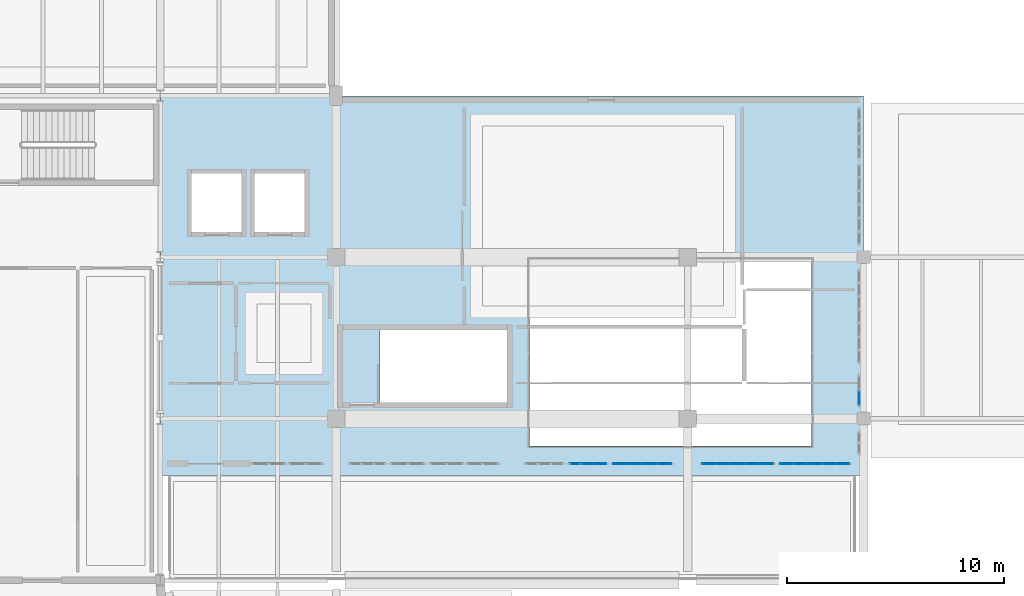
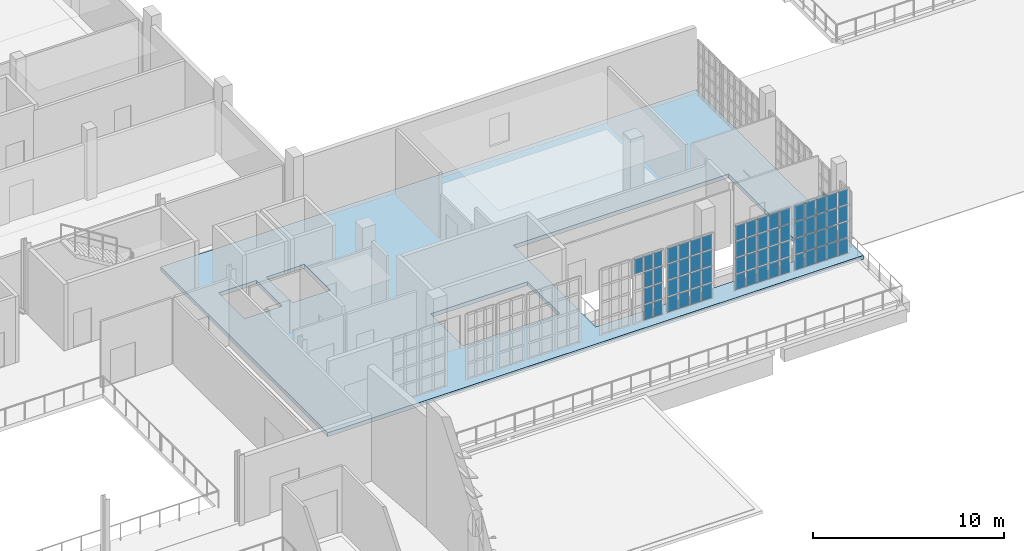
# One storey, part 36 of 56: 67 plates, 1 slab, 5 elements without a shape of their own.
"""IFC4 building model written with IfcOpenShell, lengths in metres."""

from ifc_helpers import new_model, si_unit, direction, frame, origin, origin_2d, place, context, subcontext, project, spatial, polyline, rectangle, outline, extrude, material, layer, layer_set, type_object, element, aggregate, save


model = new_model("IFC4")

# Units and contexts
model_context = context("Model", 3, precision=1e-05, world=origin(), true_north=direction((0.0, 1.0)))
body_context = subcontext(model_context, "Body", "Model", "MODEL_VIEW")
ifc_project = project(units=[si_unit("LENGTHUNIT", "METRE"), si_unit("AREAUNIT", "SQUARE_METRE"), si_unit("VOLUMEUNIT", "CUBIC_METRE"), si_unit("PLANEANGLEUNIT", "RADIAN"), si_unit("MASSUNIT", "GRAM", prefix="KILO")], contexts=[model_context])

# Site, building, storey
site_placement = place(None, origin())
site = spatial("IfcSite", under=ifc_project, at=site_placement, CompositionType="ELEMENT")
building_placement = place(site_placement, origin())
building = spatial("IfcBuilding", under=site, at=building_placement, Name="Kaelora Sail Theatre", CompositionType="ELEMENT")
storey_placement = place(building_placement, frame((0.0, 0.0, 14.699951171875)))
storey = spatial("IfcBuildingStorey", under=building, at=storey_placement, Name="L03", CompositionType="ELEMENT", Elevation=14.699951171875)

# Curtain wall, plates
ifc_material_1 = material(Name="Anodised aluminium and solar-control low-E IGU", Category="aluminium")
curtain_wall_type = type_object("IfcCurtainWallType", Name="ARC-CW-CW-BRG", PredefinedType="NOTDEFINED", material=ifc_material_1)
curtain_wall_1_placement = place(storey_placement, origin())
curtain_wall_1 = element("IfcCurtainWall", 1, at=curtain_wall_1_placement, inside=storey, type_object=curtain_wall_type, Name="Glazed Foyer/Conservatory Curtain Wall FC1-S-L03-08", PredefinedType="NOTDEFINED")
ifc_material_2 = material(Name="Solar-control laminated low-E glass", Category="glass")
ifc_layer_1 = layer(ifc_material_2, 0.031982421875)
ifc_layer_set_1 = layer_set([ifc_layer_1], Name="Solar-control laminated low-E glass")
plate_type = type_object("IfcPlateType", Name="ARC-CW-PNL", PredefinedType="CURTAIN_PANEL", material=ifc_layer_set_1)
plate_1_placement = place(storey_placement, frame((77.31494140625, 66.389892578125, 3.20361328125), z_axis=(0.0, 0.0, 1.0), x_axis=(1.0, 0.0, 0.0)))
plate_1 = element("IfcPlate", 2, at=plate_1_placement, type_object=plate_type, Name="CW-BRG panel 1.4", PredefinedType="CURTAIN_PANEL", context=body_context, shape_type="SweptSolid", body=[
    extrude(rectangle(XDim=0.510009765625, YDim=0.031982421875, at=origin_2d()), origin(), (0.0, 0.0, 1.0), 0.951416015625),
])
plate_2_placement = place(storey_placement, frame((77.89990234375, 66.389892578125, 0.070068359375), z_axis=(0.0, 0.0, 1.0), x_axis=(1.0, 0.0, 0.0)))
plate_2 = element("IfcPlate", 3, at=plate_2_placement, type_object=plate_type, Name="CW-BRG panel 2.1", PredefinedType="CURTAIN_PANEL", context=body_context, shape_type="SweptSolid", body=[
    extrude(rectangle(XDim=0.5400390625, YDim=0.031982421875, at=origin_2d()), origin(), (0.0, 0.0, 1.0), 0.951171875),
])
plate_3_placement = place(storey_placement, frame((77.89990234375, 66.389892578125, 1.09130859375), z_axis=(0.0, 0.0, 1.0), x_axis=(1.0, 0.0, 0.0)))
plate_3 = element("IfcPlate", 4, at=plate_3_placement, type_object=plate_type, Name="CW-BRG panel 2.2", PredefinedType="CURTAIN_PANEL", context=body_context, shape_type="SweptSolid", body=[
    extrude(rectangle(XDim=0.5400390625, YDim=0.031982421875, at=origin_2d()), origin(), (0.0, 0.0, 1.0), 0.986328125),
])
plate_4_placement = place(storey_placement, frame((77.89990234375, 66.389892578125, 2.1474609375), z_axis=(0.0, 0.0, 1.0), x_axis=(1.0, 0.0, 0.0)))
plate_4 = element("IfcPlate", 5, at=plate_4_placement, type_object=plate_type, Name="CW-BRG panel 2.3", PredefinedType="CURTAIN_PANEL", context=body_context, shape_type="SweptSolid", body=[
    extrude(rectangle(XDim=0.5400390625, YDim=0.031982421875, at=origin_2d()), origin(), (0.0, 0.0, 1.0), 0.986083984375),
])
plate_5_placement = place(storey_placement, frame((77.89990234375, 66.389892578125, 3.20361328125), z_axis=(0.0, 0.0, 1.0), x_axis=(1.0, 0.0, 0.0)))
plate_5 = element("IfcPlate", 6, at=plate_5_placement, type_object=plate_type, Name="CW-BRG panel 2.4", PredefinedType="CURTAIN_PANEL", context=body_context, shape_type="SweptSolid", body=[
    extrude(rectangle(XDim=0.5400390625, YDim=0.031982421875, at=origin_2d()), origin(), (0.0, 0.0, 1.0), 0.951416015625),
])
plate_6_placement = place(storey_placement, frame((78.485107421875, 66.389892578125, 0.070068359375), z_axis=(0.0, 0.0, 1.0), x_axis=(1.0, 0.0, 0.0)))
plate_6 = element("IfcPlate", 7, at=plate_6_placement, type_object=plate_type, Name="CW-BRG panel 3.1", PredefinedType="CURTAIN_PANEL", context=body_context, shape_type="SweptSolid", body=[
    extrude(rectangle(XDim=0.510009765625, YDim=0.031982421875, at=origin_2d()), origin(), (0.0, 0.0, 1.0), 0.951171875),
])
plate_7_placement = place(storey_placement, frame((78.485107421875, 66.389892578125, 1.09130859375), z_axis=(0.0, 0.0, 1.0), x_axis=(1.0, 0.0, 0.0)))
plate_7 = element("IfcPlate", 8, at=plate_7_placement, type_object=plate_type, Name="CW-BRG panel 3.2", PredefinedType="CURTAIN_PANEL", context=body_context, shape_type="SweptSolid", body=[
    extrude(rectangle(XDim=0.510009765625, YDim=0.031982421875, at=origin_2d()), origin(), (0.0, 0.0, 1.0), 0.986328125),
])
plate_8_placement = place(storey_placement, frame((78.485107421875, 66.389892578125, 2.1474609375), z_axis=(0.0, 0.0, 1.0), x_axis=(1.0, 0.0, 0.0)))
plate_8 = element("IfcPlate", 9, at=plate_8_placement, type_object=plate_type, Name="CW-BRG panel 3.3", PredefinedType="CURTAIN_PANEL", context=body_context, shape_type="SweptSolid", body=[
    extrude(rectangle(XDim=0.510009765625, YDim=0.031982421875, at=origin_2d()), origin(), (0.0, 0.0, 1.0), 0.986083984375),
])
plate_9_placement = place(storey_placement, frame((78.485107421875, 66.389892578125, 3.20361328125), z_axis=(0.0, 0.0, 1.0), x_axis=(1.0, 0.0, 0.0)))
plate_9 = element("IfcPlate", 10, at=plate_9_placement, type_object=plate_type, Name="CW-BRG panel 3.4", PredefinedType="CURTAIN_PANEL", context=body_context, shape_type="SweptSolid", body=[
    extrude(rectangle(XDim=0.510009765625, YDim=0.031982421875, at=origin_2d()), origin(), (0.0, 0.0, 1.0), 0.951416015625),
])
aggregate(curtain_wall_1, [plate_1, plate_2, plate_3, plate_4, plate_5, plate_6, plate_7, plate_8, plate_9])

curtain_wall_2_placement = place(storey_placement, origin())
curtain_wall_2 = element("IfcCurtainWall", 11, at=curtain_wall_2_placement, inside=storey, type_object=curtain_wall_type, Name="Glazed Foyer/Conservatory Curtain Wall FC1-S-L03-09", PredefinedType="NOTDEFINED")
plate_10_placement = place(storey_placement, frame((79.364990234375, 66.389892578125, 0.070068359375), z_axis=(0.0, 0.0, 1.0), x_axis=(1.0, 0.0, 0.0)))
plate_10 = element("IfcPlate", 12, at=plate_10_placement, type_object=plate_type, Name="CW-BRG panel 1.1", PredefinedType="CURTAIN_PANEL", context=body_context, shape_type="SweptSolid", body=[
    extrude(rectangle(XDim=0.610107421875, YDim=0.031982421875, at=origin_2d()), origin(), (0.0, 0.0, 1.0), 0.951171875),
])
plate_11_placement = place(storey_placement, frame((79.364990234375, 66.389892578125, 1.09130859375), z_axis=(0.0, 0.0, 1.0), x_axis=(1.0, 0.0, 0.0)))
plate_11 = element("IfcPlate", 13, at=plate_11_placement, type_object=plate_type, Name="CW-BRG panel 1.2", PredefinedType="CURTAIN_PANEL", context=body_context, shape_type="SweptSolid", body=[
    extrude(rectangle(XDim=0.610107421875, YDim=0.031982421875, at=origin_2d()), origin(), (0.0, 0.0, 1.0), 0.986328125),
])
plate_12_placement = place(storey_placement, frame((79.364990234375, 66.389892578125, 2.1474609375), z_axis=(0.0, 0.0, 1.0), x_axis=(1.0, 0.0, 0.0)))
plate_12 = element("IfcPlate", 14, at=plate_12_placement, type_object=plate_type, Name="CW-BRG panel 1.3", PredefinedType="CURTAIN_PANEL", context=body_context, shape_type="SweptSolid", body=[
    extrude(rectangle(XDim=0.610107421875, YDim=0.031982421875, at=origin_2d()), origin(), (0.0, 0.0, 1.0), 0.986083984375),
])
plate_13_placement = place(storey_placement, frame((79.364990234375, 66.389892578125, 3.20361328125), z_axis=(0.0, 0.0, 1.0), x_axis=(1.0, 0.0, 0.0)))
plate_13 = element("IfcPlate", 15, at=plate_13_placement, type_object=plate_type, Name="CW-BRG panel 1.4", PredefinedType="CURTAIN_PANEL", context=body_context, shape_type="SweptSolid", body=[
    extrude(rectangle(XDim=0.610107421875, YDim=0.031982421875, at=origin_2d()), origin(), (0.0, 0.0, 1.0), 0.951416015625),
])
plate_14_placement = place(storey_placement, frame((80.050048828125, 66.389892578125, 0.070068359375), z_axis=(0.0, 0.0, 1.0), x_axis=(1.0, 0.0, 0.0)))
plate_14 = element("IfcPlate", 16, at=plate_14_placement, type_object=plate_type, Name="CW-BRG panel 2.1", PredefinedType="CURTAIN_PANEL", context=body_context, shape_type="SweptSolid", body=[
    extrude(rectangle(XDim=0.639892578125, YDim=0.031982421875, at=origin_2d()), origin(), (0.0, 0.0, 1.0), 0.951171875),
])
plate_15_placement = place(storey_placement, frame((80.050048828125, 66.389892578125, 1.09130859375), z_axis=(0.0, 0.0, 1.0), x_axis=(1.0, 0.0, 0.0)))
plate_15 = element("IfcPlate", 17, at=plate_15_placement, type_object=plate_type, Name="CW-BRG panel 2.2", PredefinedType="CURTAIN_PANEL", context=body_context, shape_type="SweptSolid", body=[
    extrude(rectangle(XDim=0.639892578125, YDim=0.031982421875, at=origin_2d()), origin(), (0.0, 0.0, 1.0), 0.986328125),
])
plate_16_placement = place(storey_placement, frame((80.050048828125, 66.389892578125, 2.1474609375), z_axis=(0.0, 0.0, 1.0), x_axis=(1.0, 0.0, 0.0)))
plate_16 = element("IfcPlate", 18, at=plate_16_placement, type_object=plate_type, Name="CW-BRG panel 2.3", PredefinedType="CURTAIN_PANEL", context=body_context, shape_type="SweptSolid", body=[
    extrude(rectangle(XDim=0.639892578125, YDim=0.031982421875, at=origin_2d()), origin(), (0.0, 0.0, 1.0), 0.986083984375),
])
plate_17_placement = place(storey_placement, frame((80.050048828125, 66.389892578125, 3.20361328125), z_axis=(0.0, 0.0, 1.0), x_axis=(1.0, 0.0, 0.0)))
plate_17 = element("IfcPlate", 19, at=plate_17_placement, type_object=plate_type, Name="CW-BRG panel 2.4", PredefinedType="CURTAIN_PANEL", context=body_context, shape_type="SweptSolid", body=[
    extrude(rectangle(XDim=0.639892578125, YDim=0.031982421875, at=origin_2d()), origin(), (0.0, 0.0, 1.0), 0.951416015625),
])
plate_18_placement = place(storey_placement, frame((80.75, 66.389892578125, 0.070068359375), z_axis=(0.0, 0.0, 1.0), x_axis=(1.0, 0.0, 0.0)))
plate_18 = element("IfcPlate", 20, at=plate_18_placement, type_object=plate_type, Name="CW-BRG panel 3.1", PredefinedType="CURTAIN_PANEL", context=body_context, shape_type="SweptSolid", body=[
    extrude(rectangle(XDim=0.639892578125, YDim=0.031982421875, at=origin_2d()), origin(), (0.0, 0.0, 1.0), 0.951171875),
])
plate_19_placement = place(storey_placement, frame((80.75, 66.389892578125, 1.09130859375), z_axis=(0.0, 0.0, 1.0), x_axis=(1.0, 0.0, 0.0)))
plate_19 = element("IfcPlate", 21, at=plate_19_placement, type_object=plate_type, Name="CW-BRG panel 3.2", PredefinedType="CURTAIN_PANEL", context=body_context, shape_type="SweptSolid", body=[
    extrude(rectangle(XDim=0.639892578125, YDim=0.031982421875, at=origin_2d()), origin(), (0.0, 0.0, 1.0), 0.986328125),
])
plate_20_placement = place(storey_placement, frame((80.75, 66.389892578125, 2.1474609375), z_axis=(0.0, 0.0, 1.0), x_axis=(1.0, 0.0, 0.0)))
plate_20 = element("IfcPlate", 22, at=plate_20_placement, type_object=plate_type, Name="CW-BRG panel 3.3", PredefinedType="CURTAIN_PANEL", context=body_context, shape_type="SweptSolid", body=[
    extrude(rectangle(XDim=0.639892578125, YDim=0.031982421875, at=origin_2d()), origin(), (0.0, 0.0, 1.0), 0.986083984375),
])
plate_21_placement = place(storey_placement, frame((80.75, 66.389892578125, 3.20361328125), z_axis=(0.0, 0.0, 1.0), x_axis=(1.0, 0.0, 0.0)))
plate_21 = element("IfcPlate", 23, at=plate_21_placement, type_object=plate_type, Name="CW-BRG panel 3.4", PredefinedType="CURTAIN_PANEL", context=body_context, shape_type="SweptSolid", body=[
    extrude(rectangle(XDim=0.639892578125, YDim=0.031982421875, at=origin_2d()), origin(), (0.0, 0.0, 1.0), 0.951416015625),
])
plate_22_placement = place(storey_placement, frame((81.43505859375, 66.389892578125, 0.070068359375), z_axis=(0.0, 0.0, 1.0), x_axis=(1.0, 0.0, 0.0)))
plate_22 = element("IfcPlate", 24, at=plate_22_placement, type_object=plate_type, Name="CW-BRG panel 4.1", PredefinedType="CURTAIN_PANEL", context=body_context, shape_type="SweptSolid", body=[
    extrude(rectangle(XDim=0.610107421875, YDim=0.031982421875, at=origin_2d()), origin(), (0.0, 0.0, 1.0), 0.951171875),
])
plate_23_placement = place(storey_placement, frame((81.43505859375, 66.389892578125, 1.09130859375), z_axis=(0.0, 0.0, 1.0), x_axis=(1.0, 0.0, 0.0)))
plate_23 = element("IfcPlate", 25, at=plate_23_placement, type_object=plate_type, Name="CW-BRG panel 4.2", PredefinedType="CURTAIN_PANEL", context=body_context, shape_type="SweptSolid", body=[
    extrude(rectangle(XDim=0.610107421875, YDim=0.031982421875, at=origin_2d()), origin(), (0.0, 0.0, 1.0), 0.986328125),
])
plate_24_placement = place(storey_placement, frame((81.43505859375, 66.389892578125, 2.1474609375), z_axis=(0.0, 0.0, 1.0), x_axis=(1.0, 0.0, 0.0)))
plate_24 = element("IfcPlate", 26, at=plate_24_placement, type_object=plate_type, Name="CW-BRG panel 4.3", PredefinedType="CURTAIN_PANEL", context=body_context, shape_type="SweptSolid", body=[
    extrude(rectangle(XDim=0.610107421875, YDim=0.031982421875, at=origin_2d()), origin(), (0.0, 0.0, 1.0), 0.986083984375),
])
plate_25_placement = place(storey_placement, frame((81.43505859375, 66.389892578125, 3.20361328125), z_axis=(0.0, 0.0, 1.0), x_axis=(1.0, 0.0, 0.0)))
plate_25 = element("IfcPlate", 27, at=plate_25_placement, type_object=plate_type, Name="CW-BRG panel 4.4", PredefinedType="CURTAIN_PANEL", context=body_context, shape_type="SweptSolid", body=[
    extrude(rectangle(XDim=0.610107421875, YDim=0.031982421875, at=origin_2d()), origin(), (0.0, 0.0, 1.0), 0.951416015625),
])
aggregate(curtain_wall_2, [plate_10, plate_11, plate_12, plate_13, plate_14, plate_15, plate_16, plate_17, plate_18, plate_19, plate_20, plate_21, plate_22, plate_23, plate_24, plate_25])

curtain_wall_3_placement = place(storey_placement, origin())
curtain_wall_3 = element("IfcCurtainWall", 28, at=curtain_wall_3_placement, inside=storey, type_object=curtain_wall_type, Name="Glazed Foyer/Conservatory Curtain Wall FC1-S-L03-10", PredefinedType="NOTDEFINED")
plate_26_placement = place(storey_placement, frame((83.455078125, 66.389892578125, 0.070068359375), z_axis=(0.0, 0.0, 1.0), x_axis=(1.0, 0.0, 0.0)))
plate_26 = element("IfcPlate", 29, at=plate_26_placement, type_object=plate_type, Name="CW-BRG panel 1.1", PredefinedType="CURTAIN_PANEL", context=body_context, shape_type="SweptSolid", body=[
    extrude(rectangle(XDim=0.590087890625, YDim=0.031982421875, at=origin_2d()), origin(), (0.0, 0.0, 1.0), 0.951171875),
])
plate_27_placement = place(storey_placement, frame((83.455078125, 66.389892578125, 1.09130859375), z_axis=(0.0, 0.0, 1.0), x_axis=(1.0, 0.0, 0.0)))
plate_27 = element("IfcPlate", 30, at=plate_27_placement, type_object=plate_type, Name="CW-BRG panel 1.2", PredefinedType="CURTAIN_PANEL", context=body_context, shape_type="SweptSolid", body=[
    extrude(rectangle(XDim=0.590087890625, YDim=0.031982421875, at=origin_2d()), origin(), (0.0, 0.0, 1.0), 0.986328125),
])
plate_28_placement = place(storey_placement, frame((83.455078125, 66.389892578125, 2.1474609375), z_axis=(0.0, 0.0, 1.0), x_axis=(1.0, 0.0, 0.0)))
plate_28 = element("IfcPlate", 31, at=plate_28_placement, type_object=plate_type, Name="CW-BRG panel 1.3", PredefinedType="CURTAIN_PANEL", context=body_context, shape_type="SweptSolid", body=[
    extrude(rectangle(XDim=0.590087890625, YDim=0.031982421875, at=origin_2d()), origin(), (0.0, 0.0, 1.0), 0.986083984375),
])
plate_29_placement = place(storey_placement, frame((83.455078125, 66.389892578125, 3.20361328125), z_axis=(0.0, 0.0, 1.0), x_axis=(1.0, 0.0, 0.0)))
plate_29 = element("IfcPlate", 32, at=plate_29_placement, type_object=plate_type, Name="CW-BRG panel 1.4", PredefinedType="CURTAIN_PANEL", context=body_context, shape_type="SweptSolid", body=[
    extrude(rectangle(XDim=0.590087890625, YDim=0.031982421875, at=origin_2d()), origin(), (0.0, 0.0, 1.0), 0.951416015625),
])
plate_30_placement = place(storey_placement, frame((84.1201171875, 66.389892578125, 0.070068359375), z_axis=(0.0, 0.0, 1.0), x_axis=(1.0, 0.0, 0.0)))
plate_30 = element("IfcPlate", 33, at=plate_30_placement, type_object=plate_type, Name="CW-BRG panel 2.1", PredefinedType="CURTAIN_PANEL", context=body_context, shape_type="SweptSolid", body=[
    extrude(rectangle(XDim=0.6201171875, YDim=0.031982421875, at=origin_2d()), origin(), (0.0, 0.0, 1.0), 0.951171875),
])
plate_31_placement = place(storey_placement, frame((84.1201171875, 66.389892578125, 1.09130859375), z_axis=(0.0, 0.0, 1.0), x_axis=(1.0, 0.0, 0.0)))
plate_31 = element("IfcPlate", 34, at=plate_31_placement, type_object=plate_type, Name="CW-BRG panel 2.2", PredefinedType="CURTAIN_PANEL", context=body_context, shape_type="SweptSolid", body=[
    extrude(rectangle(XDim=0.6201171875, YDim=0.031982421875, at=origin_2d()), origin(), (0.0, 0.0, 1.0), 0.986328125),
])
plate_32_placement = place(storey_placement, frame((84.1201171875, 66.389892578125, 2.1474609375), z_axis=(0.0, 0.0, 1.0), x_axis=(1.0, 0.0, 0.0)))
plate_32 = element("IfcPlate", 35, at=plate_32_placement, type_object=plate_type, Name="CW-BRG panel 2.3", PredefinedType="CURTAIN_PANEL", context=body_context, shape_type="SweptSolid", body=[
    extrude(rectangle(XDim=0.6201171875, YDim=0.031982421875, at=origin_2d()), origin(), (0.0, 0.0, 1.0), 0.986083984375),
])
plate_33_placement = place(storey_placement, frame((84.1201171875, 66.389892578125, 3.20361328125), z_axis=(0.0, 0.0, 1.0), x_axis=(1.0, 0.0, 0.0)))
plate_33 = element("IfcPlate", 36, at=plate_33_placement, type_object=plate_type, Name="CW-BRG panel 2.4", PredefinedType="CURTAIN_PANEL", context=body_context, shape_type="SweptSolid", body=[
    extrude(rectangle(XDim=0.6201171875, YDim=0.031982421875, at=origin_2d()), origin(), (0.0, 0.0, 1.0), 0.951416015625),
])
plate_34_placement = place(storey_placement, frame((84.800048828125, 66.389892578125, 0.070068359375), z_axis=(0.0, 0.0, 1.0), x_axis=(1.0, 0.0, 0.0)))
plate_34 = element("IfcPlate", 37, at=plate_34_placement, type_object=plate_type, Name="CW-BRG panel 3.1", PredefinedType="CURTAIN_PANEL", context=body_context, shape_type="SweptSolid", body=[
    extrude(rectangle(XDim=0.6201171875, YDim=0.031982421875, at=origin_2d()), origin(), (0.0, 0.0, 1.0), 0.951171875),
])
plate_35_placement = place(storey_placement, frame((84.800048828125, 66.389892578125, 1.09130859375), z_axis=(0.0, 0.0, 1.0), x_axis=(1.0, 0.0, 0.0)))
plate_35 = element("IfcPlate", 38, at=plate_35_placement, type_object=plate_type, Name="CW-BRG panel 3.2", PredefinedType="CURTAIN_PANEL", context=body_context, shape_type="SweptSolid", body=[
    extrude(rectangle(XDim=0.6201171875, YDim=0.031982421875, at=origin_2d()), origin(), (0.0, 0.0, 1.0), 0.986328125),
])
plate_36_placement = place(storey_placement, frame((84.800048828125, 66.389892578125, 2.1474609375), z_axis=(0.0, 0.0, 1.0), x_axis=(1.0, 0.0, 0.0)))
plate_36 = element("IfcPlate", 39, at=plate_36_placement, type_object=plate_type, Name="CW-BRG panel 3.3", PredefinedType="CURTAIN_PANEL", context=body_context, shape_type="SweptSolid", body=[
    extrude(rectangle(XDim=0.6201171875, YDim=0.031982421875, at=origin_2d()), origin(), (0.0, 0.0, 1.0), 0.986083984375),
])
plate_37_placement = place(storey_placement, frame((84.800048828125, 66.389892578125, 3.20361328125), z_axis=(0.0, 0.0, 1.0), x_axis=(1.0, 0.0, 0.0)))
plate_37 = element("IfcPlate", 40, at=plate_37_placement, type_object=plate_type, Name="CW-BRG panel 3.4", PredefinedType="CURTAIN_PANEL", context=body_context, shape_type="SweptSolid", body=[
    extrude(rectangle(XDim=0.6201171875, YDim=0.031982421875, at=origin_2d()), origin(), (0.0, 0.0, 1.0), 0.951416015625),
])
plate_38_placement = place(storey_placement, frame((85.47998046875, 66.389892578125, 0.070068359375), z_axis=(0.0, 0.0, 1.0), x_axis=(1.0, 0.0, 0.0)))
plate_38 = element("IfcPlate", 41, at=plate_38_placement, type_object=plate_type, Name="CW-BRG panel 4.1", PredefinedType="CURTAIN_PANEL", context=body_context, shape_type="SweptSolid", body=[
    extrude(rectangle(XDim=0.6201171875, YDim=0.031982421875, at=origin_2d()), origin(), (0.0, 0.0, 1.0), 0.951171875),
])
plate_39_placement = place(storey_placement, frame((85.47998046875, 66.389892578125, 1.09130859375), z_axis=(0.0, 0.0, 1.0), x_axis=(1.0, 0.0, 0.0)))
plate_39 = element("IfcPlate", 42, at=plate_39_placement, type_object=plate_type, Name="CW-BRG panel 4.2", PredefinedType="CURTAIN_PANEL", context=body_context, shape_type="SweptSolid", body=[
    extrude(rectangle(XDim=0.6201171875, YDim=0.031982421875, at=origin_2d()), origin(), (0.0, 0.0, 1.0), 0.986328125),
])
plate_40_placement = place(storey_placement, frame((85.47998046875, 66.389892578125, 2.1474609375), z_axis=(0.0, 0.0, 1.0), x_axis=(1.0, 0.0, 0.0)))
plate_40 = element("IfcPlate", 43, at=plate_40_placement, type_object=plate_type, Name="CW-BRG panel 4.3", PredefinedType="CURTAIN_PANEL", context=body_context, shape_type="SweptSolid", body=[
    extrude(rectangle(XDim=0.6201171875, YDim=0.031982421875, at=origin_2d()), origin(), (0.0, 0.0, 1.0), 0.986083984375),
])
plate_41_placement = place(storey_placement, frame((85.47998046875, 66.389892578125, 3.20361328125), z_axis=(0.0, 0.0, 1.0), x_axis=(1.0, 0.0, 0.0)))
plate_41 = element("IfcPlate", 44, at=plate_41_placement, type_object=plate_type, Name="CW-BRG panel 4.4", PredefinedType="CURTAIN_PANEL", context=body_context, shape_type="SweptSolid", body=[
    extrude(rectangle(XDim=0.6201171875, YDim=0.031982421875, at=origin_2d()), origin(), (0.0, 0.0, 1.0), 0.951416015625),
])
plate_42_placement = place(storey_placement, frame((86.14501953125, 66.389892578125, 0.070068359375), z_axis=(0.0, 0.0, 1.0), x_axis=(1.0, 0.0, 0.0)))
plate_42 = element("IfcPlate", 45, at=plate_42_placement, type_object=plate_type, Name="CW-BRG panel 5.1", PredefinedType="CURTAIN_PANEL", context=body_context, shape_type="SweptSolid", body=[
    extrude(rectangle(XDim=0.590087890625, YDim=0.031982421875, at=origin_2d()), origin(), (0.0, 0.0, 1.0), 0.951171875),
])
plate_43_placement = place(storey_placement, frame((86.14501953125, 66.389892578125, 1.09130859375), z_axis=(0.0, 0.0, 1.0), x_axis=(1.0, 0.0, 0.0)))
plate_43 = element("IfcPlate", 46, at=plate_43_placement, type_object=plate_type, Name="CW-BRG panel 5.2", PredefinedType="CURTAIN_PANEL", context=body_context, shape_type="SweptSolid", body=[
    extrude(rectangle(XDim=0.590087890625, YDim=0.031982421875, at=origin_2d()), origin(), (0.0, 0.0, 1.0), 0.986328125),
])
plate_44_placement = place(storey_placement, frame((86.14501953125, 66.389892578125, 2.1474609375), z_axis=(0.0, 0.0, 1.0), x_axis=(1.0, 0.0, 0.0)))
plate_44 = element("IfcPlate", 47, at=plate_44_placement, type_object=plate_type, Name="CW-BRG panel 5.3", PredefinedType="CURTAIN_PANEL", context=body_context, shape_type="SweptSolid", body=[
    extrude(rectangle(XDim=0.590087890625, YDim=0.031982421875, at=origin_2d()), origin(), (0.0, 0.0, 1.0), 0.986083984375),
])
plate_45_placement = place(storey_placement, frame((86.14501953125, 66.389892578125, 3.20361328125), z_axis=(0.0, 0.0, 1.0), x_axis=(1.0, 0.0, 0.0)))
plate_45 = element("IfcPlate", 48, at=plate_45_placement, type_object=plate_type, Name="CW-BRG panel 5.4", PredefinedType="CURTAIN_PANEL", context=body_context, shape_type="SweptSolid", body=[
    extrude(rectangle(XDim=0.590087890625, YDim=0.031982421875, at=origin_2d()), origin(), (0.0, 0.0, 1.0), 0.951416015625),
])
aggregate(curtain_wall_3, [plate_26, plate_27, plate_28, plate_29, plate_30, plate_31, plate_32, plate_33, plate_34, plate_35, plate_36, plate_37, plate_38, plate_39, plate_40, plate_41, plate_42, plate_43, plate_44, plate_45])

curtain_wall_4_placement = place(storey_placement, origin())
curtain_wall_4 = element("IfcCurtainWall", 49, at=curtain_wall_4_placement, inside=storey, type_object=curtain_wall_type, Name="Glazed Foyer/Conservatory Curtain Wall FC1-S-L03-11", PredefinedType="NOTDEFINED")
plate_46_placement = place(storey_placement, frame((87.044921875, 66.389892578125, 0.070068359375), z_axis=(0.0, 0.0, 1.0), x_axis=(1.0, 0.0, 0.0)))
plate_46 = element("IfcPlate", 50, at=plate_46_placement, type_object=plate_type, Name="CW-BRG panel 1.1", PredefinedType="CURTAIN_PANEL", context=body_context, shape_type="SweptSolid", body=[
    extrude(rectangle(XDim=0.570068359375, YDim=0.031982421875, at=origin_2d()), origin(), (0.0, 0.0, 1.0), 0.951171875),
])
plate_47_placement = place(storey_placement, frame((87.044921875, 66.389892578125, 1.09130859375), z_axis=(0.0, 0.0, 1.0), x_axis=(1.0, 0.0, 0.0)))
plate_47 = element("IfcPlate", 51, at=plate_47_placement, type_object=plate_type, Name="CW-BRG panel 1.2", PredefinedType="CURTAIN_PANEL", context=body_context, shape_type="SweptSolid", body=[
    extrude(rectangle(XDim=0.570068359375, YDim=0.031982421875, at=origin_2d()), origin(), (0.0, 0.0, 1.0), 0.986328125),
])
plate_48_placement = place(storey_placement, frame((87.044921875, 66.389892578125, 2.1474609375), z_axis=(0.0, 0.0, 1.0), x_axis=(1.0, 0.0, 0.0)))
plate_48 = element("IfcPlate", 52, at=plate_48_placement, type_object=plate_type, Name="CW-BRG panel 1.3", PredefinedType="CURTAIN_PANEL", context=body_context, shape_type="SweptSolid", body=[
    extrude(rectangle(XDim=0.570068359375, YDim=0.031982421875, at=origin_2d()), origin(), (0.0, 0.0, 1.0), 0.986083984375),
])
plate_49_placement = place(storey_placement, frame((87.044921875, 66.389892578125, 3.20361328125), z_axis=(0.0, 0.0, 1.0), x_axis=(1.0, 0.0, 0.0)))
plate_49 = element("IfcPlate", 53, at=plate_49_placement, type_object=plate_type, Name="CW-BRG panel 1.4", PredefinedType="CURTAIN_PANEL", context=body_context, shape_type="SweptSolid", body=[
    extrude(rectangle(XDim=0.570068359375, YDim=0.031982421875, at=origin_2d()), origin(), (0.0, 0.0, 1.0), 0.951416015625),
])
plate_50_placement = place(storey_placement, frame((87.68994140625, 66.389892578125, 0.070068359375), z_axis=(0.0, 0.0, 1.0), x_axis=(1.0, 0.0, 0.0)))
plate_50 = element("IfcPlate", 54, at=plate_50_placement, type_object=plate_type, Name="CW-BRG panel 2.1", PredefinedType="CURTAIN_PANEL", context=body_context, shape_type="SweptSolid", body=[
    extrude(rectangle(XDim=0.60009765625, YDim=0.031982421875, at=origin_2d()), origin(), (0.0, 0.0, 1.0), 0.951171875),
])
plate_51_placement = place(storey_placement, frame((87.68994140625, 66.389892578125, 1.09130859375), z_axis=(0.0, 0.0, 1.0), x_axis=(1.0, 0.0, 0.0)))
plate_51 = element("IfcPlate", 55, at=plate_51_placement, type_object=plate_type, Name="CW-BRG panel 2.2", PredefinedType="CURTAIN_PANEL", context=body_context, shape_type="SweptSolid", body=[
    extrude(rectangle(XDim=0.60009765625, YDim=0.031982421875, at=origin_2d()), origin(), (0.0, 0.0, 1.0), 0.986328125),
])
plate_52_placement = place(storey_placement, frame((87.68994140625, 66.389892578125, 2.1474609375), z_axis=(0.0, 0.0, 1.0), x_axis=(1.0, 0.0, 0.0)))
plate_52 = element("IfcPlate", 56, at=plate_52_placement, type_object=plate_type, Name="CW-BRG panel 2.3", PredefinedType="CURTAIN_PANEL", context=body_context, shape_type="SweptSolid", body=[
    extrude(rectangle(XDim=0.60009765625, YDim=0.031982421875, at=origin_2d()), origin(), (0.0, 0.0, 1.0), 0.986083984375),
])
plate_53_placement = place(storey_placement, frame((87.68994140625, 66.389892578125, 3.20361328125), z_axis=(0.0, 0.0, 1.0), x_axis=(1.0, 0.0, 0.0)))
plate_53 = element("IfcPlate", 57, at=plate_53_placement, type_object=plate_type, Name="CW-BRG panel 2.4", PredefinedType="CURTAIN_PANEL", context=body_context, shape_type="SweptSolid", body=[
    extrude(rectangle(XDim=0.60009765625, YDim=0.031982421875, at=origin_2d()), origin(), (0.0, 0.0, 1.0), 0.951416015625),
])
plate_54_placement = place(storey_placement, frame((88.35009765625, 66.389892578125, 0.070068359375), z_axis=(0.0, 0.0, 1.0), x_axis=(1.0, 0.0, 0.0)))
plate_54 = element("IfcPlate", 58, at=plate_54_placement, type_object=plate_type, Name="CW-BRG panel 3.1", PredefinedType="CURTAIN_PANEL", context=body_context, shape_type="SweptSolid", body=[
    extrude(rectangle(XDim=0.60009765625, YDim=0.031982421875, at=origin_2d()), origin(), (0.0, 0.0, 1.0), 0.951171875),
])
plate_55_placement = place(storey_placement, frame((88.35009765625, 66.389892578125, 1.09130859375), z_axis=(0.0, 0.0, 1.0), x_axis=(1.0, 0.0, 0.0)))
plate_55 = element("IfcPlate", 59, at=plate_55_placement, type_object=plate_type, Name="CW-BRG panel 3.2", PredefinedType="CURTAIN_PANEL", context=body_context, shape_type="SweptSolid", body=[
    extrude(rectangle(XDim=0.60009765625, YDim=0.031982421875, at=origin_2d()), origin(), (0.0, 0.0, 1.0), 0.986328125),
])
plate_56_placement = place(storey_placement, frame((88.35009765625, 66.389892578125, 2.1474609375), z_axis=(0.0, 0.0, 1.0), x_axis=(1.0, 0.0, 0.0)))
plate_56 = element("IfcPlate", 60, at=plate_56_placement, type_object=plate_type, Name="CW-BRG panel 3.3", PredefinedType="CURTAIN_PANEL", context=body_context, shape_type="SweptSolid", body=[
    extrude(rectangle(XDim=0.60009765625, YDim=0.031982421875, at=origin_2d()), origin(), (0.0, 0.0, 1.0), 0.986083984375),
])
plate_57_placement = place(storey_placement, frame((88.35009765625, 66.389892578125, 3.20361328125), z_axis=(0.0, 0.0, 1.0), x_axis=(1.0, 0.0, 0.0)))
plate_57 = element("IfcPlate", 61, at=plate_57_placement, type_object=plate_type, Name="CW-BRG panel 3.4", PredefinedType="CURTAIN_PANEL", context=body_context, shape_type="SweptSolid", body=[
    extrude(rectangle(XDim=0.60009765625, YDim=0.031982421875, at=origin_2d()), origin(), (0.0, 0.0, 1.0), 0.951416015625),
])
plate_58_placement = place(storey_placement, frame((89.010009765625, 66.389892578125, 0.070068359375), z_axis=(0.0, 0.0, 1.0), x_axis=(1.0, 0.0, 0.0)))
plate_58 = element("IfcPlate", 62, at=plate_58_placement, type_object=plate_type, Name="CW-BRG panel 4.1", PredefinedType="CURTAIN_PANEL", context=body_context, shape_type="SweptSolid", body=[
    extrude(rectangle(XDim=0.60009765625, YDim=0.031982421875, at=origin_2d()), origin(), (0.0, 0.0, 1.0), 0.951171875),
])
plate_59_placement = place(storey_placement, frame((89.010009765625, 66.389892578125, 1.09130859375), z_axis=(0.0, 0.0, 1.0), x_axis=(1.0, 0.0, 0.0)))
plate_59 = element("IfcPlate", 63, at=plate_59_placement, type_object=plate_type, Name="CW-BRG panel 4.2", PredefinedType="CURTAIN_PANEL", context=body_context, shape_type="SweptSolid", body=[
    extrude(rectangle(XDim=0.60009765625, YDim=0.031982421875, at=origin_2d()), origin(), (0.0, 0.0, 1.0), 0.986328125),
])
plate_60_placement = place(storey_placement, frame((89.010009765625, 66.389892578125, 2.1474609375), z_axis=(0.0, 0.0, 1.0), x_axis=(1.0, 0.0, 0.0)))
plate_60 = element("IfcPlate", 64, at=plate_60_placement, type_object=plate_type, Name="CW-BRG panel 4.3", PredefinedType="CURTAIN_PANEL", context=body_context, shape_type="SweptSolid", body=[
    extrude(rectangle(XDim=0.60009765625, YDim=0.031982421875, at=origin_2d()), origin(), (0.0, 0.0, 1.0), 0.986083984375),
])
plate_61_placement = place(storey_placement, frame((89.010009765625, 66.389892578125, 3.20361328125), z_axis=(0.0, 0.0, 1.0), x_axis=(1.0, 0.0, 0.0)))
plate_61 = element("IfcPlate", 65, at=plate_61_placement, type_object=plate_type, Name="CW-BRG panel 4.4", PredefinedType="CURTAIN_PANEL", context=body_context, shape_type="SweptSolid", body=[
    extrude(rectangle(XDim=0.60009765625, YDim=0.031982421875, at=origin_2d()), origin(), (0.0, 0.0, 1.0), 0.951416015625),
])
plate_62_placement = place(storey_placement, frame((89.655029296875, 66.389892578125, 0.070068359375), z_axis=(0.0, 0.0, 1.0), x_axis=(1.0, 0.0, 0.0)))
plate_62 = element("IfcPlate", 66, at=plate_62_placement, type_object=plate_type, Name="CW-BRG panel 5.1", PredefinedType="CURTAIN_PANEL", context=body_context, shape_type="SweptSolid", body=[
    extrude(rectangle(XDim=0.570068359375, YDim=0.031982421875, at=origin_2d()), origin(), (0.0, 0.0, 1.0), 0.951171875),
])
plate_63_placement = place(storey_placement, frame((89.655029296875, 66.389892578125, 1.09130859375), z_axis=(0.0, 0.0, 1.0), x_axis=(1.0, 0.0, 0.0)))
plate_63 = element("IfcPlate", 67, at=plate_63_placement, type_object=plate_type, Name="CW-BRG panel 5.2", PredefinedType="CURTAIN_PANEL", context=body_context, shape_type="SweptSolid", body=[
    extrude(rectangle(XDim=0.570068359375, YDim=0.031982421875, at=origin_2d()), origin(), (0.0, 0.0, 1.0), 0.986328125),
])
plate_64_placement = place(storey_placement, frame((89.655029296875, 66.389892578125, 2.1474609375), z_axis=(0.0, 0.0, 1.0), x_axis=(1.0, 0.0, 0.0)))
plate_64 = element("IfcPlate", 68, at=plate_64_placement, type_object=plate_type, Name="CW-BRG panel 5.3", PredefinedType="CURTAIN_PANEL", context=body_context, shape_type="SweptSolid", body=[
    extrude(rectangle(XDim=0.570068359375, YDim=0.031982421875, at=origin_2d()), origin(), (0.0, 0.0, 1.0), 0.986083984375),
])
plate_65_placement = place(storey_placement, frame((89.655029296875, 66.389892578125, 3.20361328125), z_axis=(0.0, 0.0, 1.0), x_axis=(1.0, 0.0, 0.0)))
plate_65 = element("IfcPlate", 69, at=plate_65_placement, type_object=plate_type, Name="CW-BRG panel 5.4", PredefinedType="CURTAIN_PANEL", context=body_context, shape_type="SweptSolid", body=[
    extrude(rectangle(XDim=0.570068359375, YDim=0.031982421875, at=origin_2d()), origin(), (0.0, 0.0, 1.0), 0.951416015625),
])
aggregate(curtain_wall_4, [plate_46, plate_47, plate_48, plate_49, plate_50, plate_51, plate_52, plate_53, plate_54, plate_55, plate_56, plate_57, plate_58, plate_59, plate_60, plate_61, plate_62, plate_63, plate_64, plate_65])

curtain_wall_5_placement = place(storey_placement, origin())
curtain_wall_5 = element("IfcCurtainWall", 70, at=curtain_wall_5_placement, inside=storey, type_object=curtain_wall_type, Name="Glazed Colonnade/Courtyard Curtain Wall FC1-STEP-E-L03-01", PredefinedType="NOTDEFINED")
plate_66_placement = place(storey_placement, frame((90.389892578125, 69.405029296875, 0.06982421875), z_axis=(0.0, 0.0, 1.0), x_axis=(0.0, 1.0, 0.0)))
plate_66 = element("IfcPlate", 71, at=plate_66_placement, type_object=plate_type, Name="CW-BRG panel 1.1", PredefinedType="CURTAIN_PANEL", context=body_context, shape_type="SweptSolid", body=[
    extrude(rectangle(XDim=0.64990234375, YDim=0.031982421875, at=origin_2d()), origin(), (0.0, 0.0, 1.0), 0.789306640625),
])
plate_67_placement = place(storey_placement, frame((90.389892578125, 69.405029296875, 0.92919921875), z_axis=(0.0, 0.0, 1.0), x_axis=(0.0, 1.0, 0.0)))
plate_67 = element("IfcPlate", 72, at=plate_67_placement, type_object=plate_type, Name="CW-BRG panel 1.2", PredefinedType="CURTAIN_PANEL", context=body_context, shape_type="SweptSolid", body=[
    extrude(rectangle(XDim=0.64990234375, YDim=0.031982421875, at=origin_2d()), origin(), (0.0, 0.0, 1.0), 0.82421875),
])
aggregate(curtain_wall_5, [plate_66, plate_67])

# Slab
ifc_material_3 = material(Name="Concrete C40/50", Category="concrete")
ifc_layer_2 = layer(ifc_material_3, 0.25)
ifc_layer_set_2 = layer_set([ifc_layer_2], Name="Concrete C40/50")
slab_type = type_object("IfcSlabType", Name="STR-SLB-SL-FL250", PredefinedType="FLOOR", material=ifc_layer_set_2)
slab_placement = place(storey_placement, frame((0.0, 0.0, -0.25)))
element("IfcSlab", 73, at=slab_placement, inside=storey, type_object=slab_type, Name="Glazed Foyer floor slab FC1 (L03)", PredefinedType="FLOOR", context=body_context, shape_type="SweptSolid", body=[
    extrude(outline(polyline([(58.215087890625, 65.8349609375), (90.5849609375, 65.8349609375), (90.5849609375, 83.324951171875), (58.215087890625, 83.324951171875), (58.215087890625, 65.8349609375)]), holes=[polyline([(68.31494140625, 69.199951171875), (74.169921875, 69.199951171875), (74.169921875, 72.550048828125), (68.31494140625, 72.550048828125), (68.31494140625, 69.199951171875)]), polyline([(59.64990234375, 77.050048828125), (61.949951171875, 77.050048828125), (61.949951171875, 79.75), (59.64990234375, 79.75), (59.64990234375, 77.050048828125)]), polyline([(62.550048828125, 77.050048828125), (64.85009765625, 77.050048828125), (64.85009765625, 79.75), (62.550048828125, 79.75), (62.550048828125, 77.050048828125)]), polyline([(75.199951171875, 67.199951171875), (88.199951171875, 67.199951171875), (88.199951171875, 75.800048828125), (75.199951171875, 75.800048828125), (75.199951171875, 67.199951171875)])]), origin(), (0.0, 0.0, 1.0), 0.25),
])

save(model, "model.ifc")
